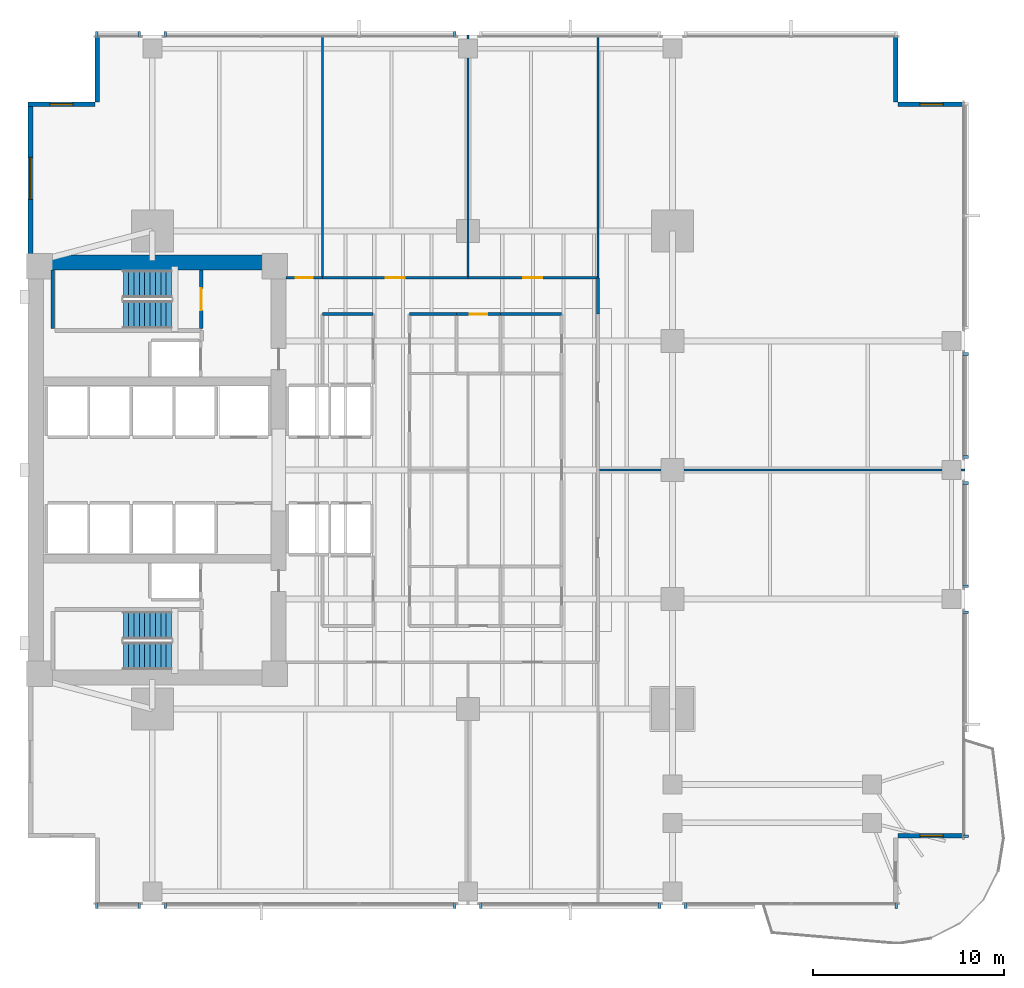
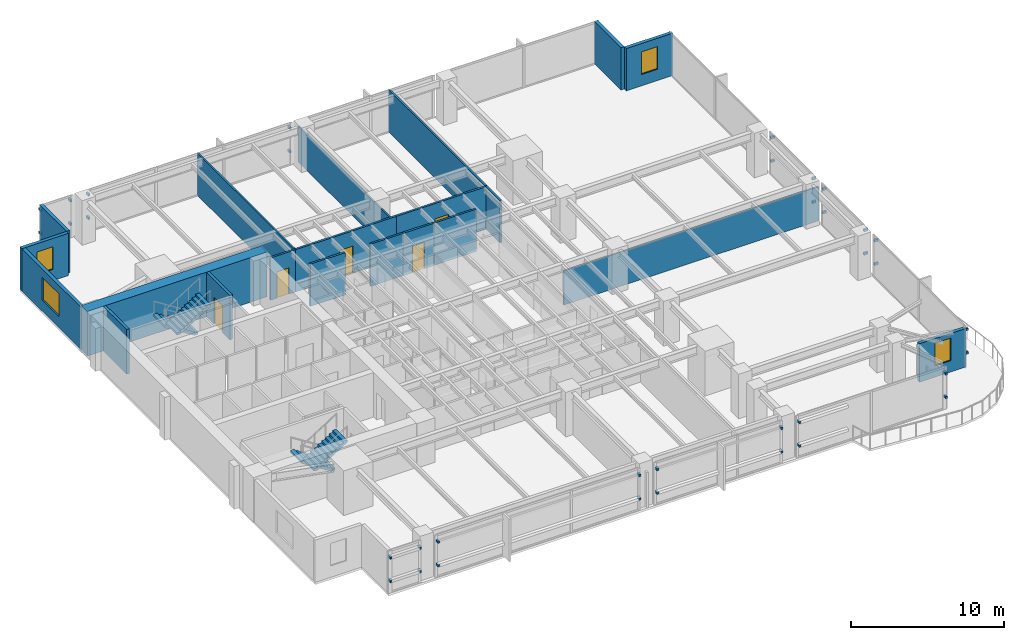
# One storey, part 10 of 15: 36 discrete accessories, 21 walls, 5 doors, 4 stair flights, 4 windows, 9 openings, 2 elements without a shape of their own.
"""IFC4 building model written with IfcOpenShell, lengths in metres."""

from ifc_helpers import new_model, si_unit, direction, frame, frame_2d, origin, origin_2d, place, context, subcontext, project, spatial, polyline, rectangle, outline, extrude, material, layer, layer_set, type_object, element, fill, aggregate, save


model = new_model("IFC4")

# Units and contexts
model_context = context("Model", 3, precision=1e-05, world=origin(), true_north=direction((0.0, 1.0)))
body_context = subcontext(model_context, "Body", "Model", "MODEL_VIEW")
ifc_project = project(units=[si_unit("LENGTHUNIT", "METRE"), si_unit("AREAUNIT", "SQUARE_METRE"), si_unit("VOLUMEUNIT", "CUBIC_METRE"), si_unit("PLANEANGLEUNIT", "RADIAN"), si_unit("MASSUNIT", "GRAM", prefix="KILO")], contexts=[model_context])

# Site, building, storey
site_placement = place(None, origin())
site = spatial("IfcSite", under=ifc_project, at=site_placement, CompositionType="ELEMENT")
building_placement = place(site_placement, origin())
building = spatial("IfcBuilding", under=site, at=building_placement, Name="Kinhvarn Gate Tower", CompositionType="ELEMENT")
storey_placement = place(building_placement, frame((0.0, 0.0, 43.35009765625)))
storey = spatial("IfcBuildingStorey", under=building, at=storey_placement, Name="L10", CompositionType="ELEMENT", Elevation=43.35009765625)

# Wall
ifc_material_1 = material(Name="Concrete C70/85", Category="concrete")
ifc_layer_1 = layer(ifc_material_1, 0.800048828125)
ifc_layer_set_1 = layer_set([ifc_layer_1], Name="Concrete C70/85")
wall_type_1 = type_object("IfcWallType", Name="WL-CORE-800", PredefinedType="SHEAR", material=ifc_layer_set_1)
wall_1_placement = place(storey_placement, frame((4.5, 36.10009765625, 0.0), z_axis=(0.0, 0.0, 1.0), x_axis=(1.0, 0.0, 0.0)))
element("IfcWall", 1, at=wall_1_placement, inside=storey, type_object=wall_type_1, Name="Core North Shear Wall L10 800 mm", PredefinedType="SHEAR", context=body_context, shape_type="SweptSolid", body=[
    extrude(rectangle(XDim=13.5, YDim=0.800048828125, at=frame_2d((6.75, 0.0))), origin(), (0.0, 0.0, 1.0), 3.5498046875),
])

# Wall, opening, window
ifc_material_2 = material(Name="Fired architectural terracotta", Category="masonry")
ifc_layer_2 = layer(ifc_material_2, 0.25)
ifc_layer_set_2 = layer_set([ifc_layer_2], Name="Fired architectural terracotta")
wall_type_2 = type_object("IfcWallType", Name="WL-EXT-250", PredefinedType="SOLIDWALL", material=ifc_layer_set_2)
wall_2_placement = place(storey_placement, frame((4.625, 44.5, 0.0), z_axis=(0.0, 0.0, 1.0), x_axis=(0.0, -1.0, 0.0)))
wall_2 = element("IfcWall", 2, at=wall_2_placement, inside=storey, type_object=wall_type_2, Name="Exterior Solidwall Wall EW-250 (L10 West-North)", PredefinedType="SOLIDWALL", context=body_context, shape_type="SweptSolid", body=[
    extrude(rectangle(XDim=8.0, YDim=0.25, at=frame_2d((4.0, 0.0))), origin(), (0.0, 0.0, 1.0), 3.369873046875),
])
opening_1_placement = place(wall_2_placement, frame((2.89990234375, 0.0, 0.89990234375)))
opening_1 = element("IfcOpeningElement", 3, at=opening_1_placement, cuts=wall_2, Name="Opening WN-01", PredefinedType="OPENING", context=body_context, shape_type="SweptSolid", body=[
    extrude(rectangle(XDim=2.199951171875, YDim=1.800048828125, at=frame_2d((1.10009765625, 0.89990234375))), frame((0.0, 0.135009765625, 0.0), z_axis=(0.0, -1.0, 0.0), x_axis=(1.0, 0.0, 0.0)), (0.0, 0.0, 1.0), 0.27001953125),
])
ifc_material_3 = material(Name="Clear low-e double glazing", Category="glass")
window_type_1 = type_object("IfcWindowType", Name="WIN-RIB-2200", PartitioningType="SINGLE_PANEL", PredefinedType="WINDOW", material=ifc_material_3)
window_1_placement = place(opening_1_placement, origin())
window_1 = element("IfcWindow", 4, at=window_1_placement, inside=storey, type_object=window_type_1, Name="West Flank Double-Glazed Ribbon Window 2200x1800 mm (L10)", OverallHeight=1.800048828125, OverallWidth=2.199951171875, PartitioningType="SINGLE_PANEL", PredefinedType="WINDOW", context=body_context, shape_type="SweptSolid", body=[
    extrude(rectangle(XDim=2.199951171875, YDim=1.800048828125, at=frame_2d((1.10009765625, 0.89990234375))), frame((0.0, 0.030029296875, 0.0), z_axis=(0.0, -1.0, 0.0), x_axis=(1.0, 0.0, 0.0)), (0.0, 0.0, 1.0), 0.06005859375),
])
fill(opening_1, window_1)

wall_3_placement = place(storey_placement, frame((50.0, 6.125, 0.0), z_axis=(0.0, 0.0, 1.0), x_axis=(1.0, 0.0, 0.0)))
wall_3 = element("IfcWall", 5, at=wall_3_placement, inside=storey, type_object=wall_type_2, Name="Exterior Solidwall Wall EW-250 (L10 SE-Notch-Win)", PredefinedType="SOLIDWALL", context=body_context, shape_type="SweptSolid", body=[
    extrude(rectangle(XDim=3.5, YDim=0.25, at=frame_2d((1.75, 0.0))), origin(), (0.0, 0.0, 1.0), 3.06982421875),
])
opening_2_placement = place(wall_3_placement, frame((1.14990234375, 0.0, 0.89990234375)))
opening_2 = element("IfcOpeningElement", 6, at=opening_2_placement, cuts=wall_3, Name="Opening WN-02", PredefinedType="OPENING", context=body_context, shape_type="SweptSolid", body=[
    extrude(rectangle(XDim=1.199951171875, YDim=1.800048828125, at=frame_2d((0.60009765625, 0.89990234375))), frame((0.0, 0.135009765625, 0.0), z_axis=(0.0, -1.0, 0.0), x_axis=(1.0, 0.0, 0.0)), (0.0, 0.0, 1.0), 0.27001953125),
])
window_type_2 = type_object("IfcWindowType", Name="WIN-NTC-1200", PartitioningType="SINGLE_PANEL", PredefinedType="WINDOW", material=ifc_material_3)
window_2_placement = place(opening_2_placement, origin())
window_2 = element("IfcWindow", 7, at=window_2_placement, inside=storey, type_object=window_type_2, Name="Recessed Corner Notch Punched Window 1200x1800 mm (L10)", OverallHeight=1.800048828125, OverallWidth=1.199951171875, PartitioningType="SINGLE_PANEL", PredefinedType="WINDOW", context=body_context, shape_type="SweptSolid", body=[
    extrude(rectangle(XDim=1.199951171875, YDim=1.800048828125, at=frame_2d((0.60009765625, 0.89990234375))), frame((0.0, 0.030029296875, 0.0), z_axis=(0.0, -1.0, 0.0), x_axis=(1.0, 0.0, 0.0)), (0.0, 0.0, 1.0), 0.06005859375),
])
fill(opening_2, window_2)

wall_4_placement = place(storey_placement, frame((53.5, 44.375, 0.0), z_axis=(0.0, 0.0, 1.0), x_axis=(-1.0, 0.0, 0.0)))
wall_4 = element("IfcWall", 8, at=wall_4_placement, inside=storey, type_object=wall_type_2, Name="Exterior Solidwall Wall EW-250 (L10 NE-Notch-1)", PredefinedType="SOLIDWALL", context=body_context, shape_type="SweptSolid", body=[
    extrude(rectangle(XDim=3.5, YDim=0.25, at=frame_2d((1.75, 0.0))), origin(), (0.0, 0.0, 1.0), 3.369873046875),
])
opening_3_placement = place(wall_4_placement, frame((1.14990234375, 0.0, 0.89990234375)))
opening_3 = element("IfcOpeningElement", 9, at=opening_3_placement, cuts=wall_4, Name="Opening WN-02", PredefinedType="OPENING", context=body_context, shape_type="SweptSolid", body=[
    extrude(rectangle(XDim=1.199951171875, YDim=1.800048828125, at=frame_2d((0.60009765625, 0.89990234375))), frame((0.0, 0.135009765625, 0.0), z_axis=(0.0, -1.0, 0.0), x_axis=(1.0, 0.0, 0.0)), (0.0, 0.0, 1.0), 0.27001953125),
])
window_3_placement = place(opening_3_placement, origin())
window_3 = element("IfcWindow", 10, at=window_3_placement, inside=storey, type_object=window_type_2, Name="Recessed Corner Notch Punched Window 1200x1800 mm (L10)", OverallHeight=1.800048828125, OverallWidth=1.199951171875, PartitioningType="SINGLE_PANEL", PredefinedType="WINDOW", context=body_context, shape_type="SweptSolid", body=[
    extrude(rectangle(XDim=1.199951171875, YDim=1.800048828125, at=frame_2d((0.60009765625, 0.89990234375))), frame((0.0, 0.030029296875, 0.0), z_axis=(0.0, -1.0, 0.0), x_axis=(1.0, 0.0, 0.0)), (0.0, 0.0, 1.0), 0.06005859375),
])
fill(opening_3, window_3)

# Walls
for number, where, z_axis, x_axis, name in (
    (11, (49.875, 44.5, 0.0), (0.0, 0.0, 1.0), (0.0, 1.0, 0.0), "Exterior Solidwall Wall EW-250 (L10 NE-Notch-2)"),
    (12, (8.125, 48.0, 0.0), (0.0, 0.0, 1.0), (0.0, -1.0, 0.0), "Exterior Solidwall Wall EW-250 (L10 NW-Notch-1)"),
):
    element("IfcWall", number, at=place(storey_placement, frame(where, z_axis=z_axis, x_axis=x_axis)), inside=storey, type_object=wall_type_2, Name=name, PredefinedType="SOLIDWALL", context=body_context, shape_type="SweptSolid", body=[
        extrude(rectangle(XDim=3.5, YDim=0.25, at=frame_2d((1.75, 0.0))), origin(), (0.0, 0.0, 1.0), 3.369873046875),
    ])

# Wall, opening, window
wall_5_placement = place(storey_placement, frame((8.0, 44.375, 0.0), z_axis=(0.0, 0.0, 1.0), x_axis=(-1.0, 0.0, 0.0)))
wall_5 = element("IfcWall", 13, at=wall_5_placement, inside=storey, type_object=wall_type_2, Name="Exterior Solidwall Wall EW-250 (L10 NW-Notch-2)", PredefinedType="SOLIDWALL", context=body_context, shape_type="SweptSolid", body=[
    extrude(rectangle(XDim=3.5, YDim=0.25, at=frame_2d((1.75, 0.0))), origin(), (0.0, 0.0, 1.0), 3.369873046875),
])
opening_4_placement = place(wall_5_placement, frame((1.14990234375, 0.0, 0.89990234375)))
opening_4 = element("IfcOpeningElement", 14, at=opening_4_placement, cuts=wall_5, Name="Opening WN-02", PredefinedType="OPENING", context=body_context, shape_type="SweptSolid", body=[
    extrude(rectangle(XDim=1.199951171875, YDim=1.800048828125, at=frame_2d((0.60009765625, 0.89990234375))), frame((0.0, 0.135009765625, 0.0), z_axis=(0.0, -1.0, 0.0), x_axis=(1.0, 0.0, 0.0)), (0.0, 0.0, 1.0), 0.27001953125),
])
window_4_placement = place(opening_4_placement, origin())
window_4 = element("IfcWindow", 15, at=window_4_placement, inside=storey, type_object=window_type_2, Name="Recessed Corner Notch Punched Window 1200x1800 mm (L10)", OverallHeight=1.800048828125, OverallWidth=1.199951171875, PartitioningType="SINGLE_PANEL", PredefinedType="WINDOW", context=body_context, shape_type="SweptSolid", body=[
    extrude(rectangle(XDim=1.199951171875, YDim=1.800048828125, at=frame_2d((0.60009765625, 0.89990234375))), frame((0.0, 0.030029296875, 0.0), z_axis=(0.0, -1.0, 0.0), x_axis=(1.0, 0.0, 0.0)), (0.0, 0.0, 1.0), 0.06005859375),
])
fill(opening_4, window_4)

# Wall
ifc_material_4 = material(Name="Gypsum acoustic partition board")
ifc_layer_3 = layer(ifc_material_4, 0.14990234375)
ifc_layer_set_3 = layer_set([ifc_layer_3], Name="Gypsum acoustic partition board")
wall_type_3 = type_object("IfcWallType", Name="WL-PLM-150F", PredefinedType="PLUMBINGWALL", material=ifc_layer_set_3)
wall_6_placement = place(storey_placement, frame((29.199951171875, 33.39990234375, 0.0), z_axis=(0.0, 0.0, 1.0), x_axis=(1.0, 0.0, 0.0)))
element("IfcWall", 16, at=wall_6_placement, inside=storey, type_object=wall_type_3, Name="Interior Partition PLW-150F (L10)", PredefinedType="PLUMBINGWALL", context=body_context, shape_type="SweptSolid", body=[
    extrude(rectangle(XDim=3.199951171875, YDim=0.14990234375, at=frame_2d((1.60009765625, 0.0))), origin(), (0.0, 0.0, 1.0), 3.369873046875),
])

# Wall, opening, door
wall_7_placement = place(storey_placement, frame((26.89990234375, 33.39990234375, 0.0), z_axis=(0.0, 0.0, 1.0), x_axis=(1.0, 0.0, 0.0)))
wall_7 = element("IfcWall", 17, at=wall_7_placement, inside=storey, type_object=wall_type_3, Name="Interior Partition PLW-150F (L10)", PredefinedType="PLUMBINGWALL", context=body_context, shape_type="SweptSolid", body=[
    extrude(rectangle(XDim=2.300048828125, YDim=0.14990234375, at=frame_2d((1.14990234375, 0.0))), origin(), (0.0, 0.0, 1.0), 3.369873046875),
])
opening_5_placement = place(wall_7_placement, frame((0.699951171875, 0.0, 0.0)))
opening_5 = element("IfcOpeningElement", 18, at=opening_5_placement, cuts=wall_7, Name="Opening FD-04", PredefinedType="OPENING", context=body_context, shape_type="SweptSolid", body=[
    extrude(rectangle(XDim=0.89990234375, YDim=2.10009765625, at=frame_2d((0.449951171875, 1.050048828125))), frame((0.0, 0.0849609375, 0.0), z_axis=(0.0, -1.0, 0.0), x_axis=(1.0, 0.0, 0.0)), (0.0, 0.0, 1.0), 0.169921875),
])
ifc_material_5 = material(Name="Anodised aluminium AW-6063", Category="aluminium")
door_type_1 = type_object("IfcDoorType", Name="DR-FD-900", OperationType="NOTDEFINED", PredefinedType="DOOR", material=ifc_material_5)
door_1_placement = place(opening_5_placement, origin())
door_1 = element("IfcDoor", 19, at=door_1_placement, inside=storey, type_object=door_type_1, Name="Rated Riser & Service Closet Fire Door 900x2100 mm (L10)", OperationType="SINGLE_SWING_LEFT", OverallHeight=2.10009765625, OverallWidth=0.89990234375, PredefinedType="DOOR", context=body_context, shape_type="SweptSolid", body=[
    extrude(rectangle(XDim=0.89990234375, YDim=2.10009765625, at=frame_2d((0.449951171875, 1.050048828125))), frame((0.0, 0.02490234375, 0.0), z_axis=(0.0, -1.0, 0.0), x_axis=(1.0, 0.0, 0.0)), (0.0, 0.0, 1.0), 0.050048828125),
])
fill(opening_5, door_1)

# Walls
ifc_layer_4 = layer(ifc_material_4, 0.1201171875)
ifc_layer_set_4 = layer_set([ifc_layer_4], Name="Gypsum acoustic partition board")
wall_type_4 = type_object("IfcWallType", Name="WL-PRT-120", PredefinedType="PARTITIONING", material=ifc_layer_set_4)
wall_8_placement = place(storey_placement, frame((19.89990234375, 35.300048828125, 0.0), z_axis=(0.0, 0.0, 1.0), x_axis=(0.0, 1.0, 0.0)))
element("IfcWall", 20, at=wall_8_placement, inside=storey, type_object=wall_type_4, Name="Interior Partition PW-120 (L10)", PredefinedType="PARTITIONING", context=body_context, shape_type="SweptSolid", body=[
    extrude(rectangle(XDim=12.68994140625, YDim=0.1201171875, at=frame_2d((6.344970703125, 0.0))), origin(), (0.0, 0.0, 1.0), 3.369873046875),
])
wall_9_placement = place(storey_placement, frame((27.5, 35.300048828125, 0.0), z_axis=(0.0, 0.0, 1.0), x_axis=(0.0, 1.0, 0.0)))
element("IfcWall", 21, at=wall_9_placement, inside=storey, type_object=wall_type_4, Name="Interior Partition PW-120 (L10)", PredefinedType="PARTITIONING", context=body_context, shape_type="SweptSolid", body=[
    extrude(rectangle(XDim=12.68994140625, YDim=0.1201171875, at=frame_2d((6.344970703125, 0.0))), origin(), (0.0, 0.0, 1.0), 2.81982421875),
])
wall_10_placement = place(storey_placement, frame((34.300048828125, 35.300048828125, 0.0), z_axis=(0.0, 0.0, 1.0), x_axis=(0.0, 1.0, 0.0)))
element("IfcWall", 22, at=wall_10_placement, inside=storey, type_object=wall_type_4, Name="Interior Partition PW-120 (L10)", PredefinedType="PARTITIONING", context=body_context, shape_type="SweptSolid", body=[
    extrude(rectangle(XDim=12.68994140625, YDim=0.1201171875, at=frame_2d((6.344970703125, 0.0))), origin(), (0.0, 0.0, 1.0), 3.369873046875),
])
wall_11_placement = place(storey_placement, frame((34.300048828125, 25.25, 0.0), z_axis=(0.0, 0.0, 1.0), x_axis=(1.0, 0.0, 0.0)))
element("IfcWall", 23, at=wall_11_placement, inside=storey, type_object=wall_type_4, Name="Interior Partition PW-120 (L10)", PredefinedType="PARTITIONING", context=body_context, shape_type="SweptSolid", body=[
    extrude(rectangle(XDim=19.18994140625, YDim=0.1201171875, at=frame_2d((9.594970703125, 0.0))), origin(), (0.0, 0.0, 1.0), 2.719970703125),
])
ifc_layer_5 = layer(ifc_material_4, 0.14990234375)
ifc_layer_set_5 = layer_set([ifc_layer_5], Name="Gypsum acoustic partition board")
wall_type_5 = type_object("IfcWallType", Name="WL-PRT-150F", PredefinedType="PARTITIONING", material=ifc_layer_set_5)
wall_12_placement = place(storey_placement, frame((19.89990234375, 33.39990234375, 0.0), z_axis=(0.0, 0.0, 1.0), x_axis=(1.0, 0.0, 0.0)))
element("IfcWall", 24, at=wall_12_placement, inside=storey, type_object=wall_type_5, Name="Interior Partition PW-150F (L10)", PredefinedType="PARTITIONING", context=body_context, shape_type="SweptSolid", body=[
    extrude(rectangle(XDim=2.650146484375, YDim=0.14990234375, at=frame_2d((1.3251953125, 0.0))), origin(), (0.0, 0.0, 1.0), 3.369873046875),
])
wall_13_placement = place(storey_placement, frame((24.449951171875, 33.39990234375, 0.0), z_axis=(0.0, 0.0, 1.0), x_axis=(1.0, 0.0, 0.0)))
element("IfcWall", 25, at=wall_13_placement, inside=storey, type_object=wall_type_5, Name="Interior Partition PW-150F (L10)", PredefinedType="PARTITIONING", context=body_context, shape_type="SweptSolid", body=[
    extrude(rectangle(XDim=2.449951171875, YDim=0.14990234375, at=frame_2d((1.22509765625, 0.0))), origin(), (0.0, 0.0, 1.0), 3.369873046875),
])

# Wall, opening, door
wall_14_placement = place(storey_placement, frame((18.0, 35.300048828125, 0.0), z_axis=(0.0, 0.0, 1.0), x_axis=(1.0, 0.0, 0.0)))
wall_14 = element("IfcWall", 26, at=wall_14_placement, inside=storey, type_object=wall_type_5, Name="Interior Partition PW-150F (L10)", PredefinedType="PARTITIONING", context=body_context, shape_type="SweptSolid", body=[
    extrude(rectangle(XDim=1.89990234375, YDim=0.14990234375, at=frame_2d((0.949951171875, 0.0))), origin(), (0.0, 0.0, 1.0), 3.369873046875),
])
opening_6_placement = place(wall_14_placement, frame((0.5, 0.0, 0.0)))
opening_6 = element("IfcOpeningElement", 27, at=opening_6_placement, cuts=wall_14, Name="Opening ID-03", PredefinedType="OPENING", context=body_context, shape_type="SweptSolid", body=[
    extrude(rectangle(XDim=0.89990234375, YDim=2.10009765625, at=frame_2d((0.449951171875, 1.050048828125))), frame((0.0, 0.0849609375, 0.0), z_axis=(0.0, -1.0, 0.0), x_axis=(1.0, 0.0, 0.0)), (0.0, 0.0, 1.0), 0.169921875),
])
door_type_2 = type_object("IfcDoorType", Name="DR-INT-900", OperationType="NOTDEFINED", PredefinedType="DOOR", material=ifc_material_5)
door_2_placement = place(opening_6_placement, origin())
door_2 = element("IfcDoor", 28, at=door_2_placement, inside=storey, type_object=door_type_2, Name="Cellular Office & Restroom Door 900x2100 mm (L10)", OperationType="SINGLE_SWING_RIGHT", OverallHeight=2.10009765625, OverallWidth=0.89990234375, PredefinedType="DOOR", context=body_context, shape_type="SweptSolid", body=[
    extrude(rectangle(XDim=0.89990234375, YDim=2.10009765625, at=frame_2d((0.449951171875, 1.050048828125))), frame((0.0, 0.02490234375, 0.0), z_axis=(0.0, -1.0, 0.0), x_axis=(1.0, 0.0, 0.0)), (0.0, 0.0, 1.0), 0.050048828125),
])
fill(opening_6, door_2)

wall_15_placement = place(storey_placement, frame((19.89990234375, 35.300048828125, 0.0), z_axis=(0.0, 0.0, 1.0), x_axis=(1.0, 0.0, 0.0)))
wall_15 = element("IfcWall", 29, at=wall_15_placement, inside=storey, type_object=wall_type_5, Name="Interior Partition PW-150F (L10)", PredefinedType="PARTITIONING", context=body_context, shape_type="SweptSolid", body=[
    extrude(rectangle(XDim=7.60009765625, YDim=0.14990234375, at=frame_2d((3.800048828125, 0.0))), origin(), (0.0, 0.0, 1.0), 3.369873046875),
])
opening_7_placement = place(wall_15_placement, frame((3.300048828125, 0.0, 0.0)))
opening_7 = element("IfcOpeningElement", 30, at=opening_7_placement, cuts=wall_15, Name="Opening ID-02", PredefinedType="OPENING", context=body_context, shape_type="SweptSolid", body=[
    extrude(rectangle(XDim=1.0, YDim=2.14990234375, at=frame_2d((0.5, 1.074951171875))), frame((0.0, 0.0849609375, 0.0), z_axis=(0.0, -1.0, 0.0), x_axis=(1.0, 0.0, 0.0)), (0.0, 0.0, 1.0), 0.169921875),
])
door_type_3 = type_object("IfcDoorType", Name="DR-INT-1000", OperationType="NOTDEFINED", PredefinedType="DOOR", material=ifc_material_5)
door_3_placement = place(opening_7_placement, origin())
door_3 = element("IfcDoor", 31, at=door_3_placement, inside=storey, type_object=door_type_3, Name="Standard Office & Meeting Room Door 1000x2150 mm (L10)", OperationType="SINGLE_SWING_LEFT", OverallHeight=2.14990234375, OverallWidth=1.0, PredefinedType="DOOR", context=body_context, shape_type="SweptSolid", body=[
    extrude(rectangle(XDim=1.0, YDim=2.14990234375, at=frame_2d((0.5, 1.074951171875))), frame((0.0, 0.02490234375, 0.0), z_axis=(0.0, -1.0, 0.0), x_axis=(1.0, 0.0, 0.0)), (0.0, 0.0, 1.0), 0.050048828125),
])
fill(opening_7, door_3)

wall_16_placement = place(storey_placement, frame((27.5, 35.300048828125, 0.0), z_axis=(0.0, 0.0, 1.0), x_axis=(1.0, 0.0, 0.0)))
wall_16 = element("IfcWall", 32, at=wall_16_placement, inside=storey, type_object=wall_type_5, Name="Interior Partition PW-150F (L10)", PredefinedType="PARTITIONING", context=body_context, shape_type="SweptSolid", body=[
    extrude(rectangle(XDim=6.800048828125, YDim=0.14990234375, at=frame_2d((3.39990234375, 0.0))), origin(), (0.0, 0.0, 1.0), 3.369873046875),
])
opening_8_placement = place(wall_16_placement, frame((2.89990234375, 0.0, 0.0)))
opening_8 = element("IfcOpeningElement", 33, at=opening_8_placement, cuts=wall_16, Name="Opening ID-02", PredefinedType="OPENING", context=body_context, shape_type="SweptSolid", body=[
    extrude(rectangle(XDim=1.0, YDim=2.14990234375, at=frame_2d((0.5, 1.074951171875))), frame((0.0, 0.0849609375, 0.0), z_axis=(0.0, -1.0, 0.0), x_axis=(1.0, 0.0, 0.0)), (0.0, 0.0, 1.0), 0.169921875),
])
door_4_placement = place(opening_8_placement, origin())
door_4 = element("IfcDoor", 34, at=door_4_placement, inside=storey, type_object=door_type_3, Name="Standard Office & Meeting Room Door 1000x2150 mm (L10)", OperationType="SINGLE_SWING_RIGHT", OverallHeight=2.14990234375, OverallWidth=1.0, PredefinedType="DOOR", context=body_context, shape_type="SweptSolid", body=[
    extrude(rectangle(XDim=1.0, YDim=2.14990234375, at=frame_2d((0.5, 1.074951171875))), frame((0.0, 0.02490234375, 0.0), z_axis=(0.0, -1.0, 0.0), x_axis=(1.0, 0.0, 0.0)), (0.0, 0.0, 1.0), 0.050048828125),
])
fill(opening_8, door_4)

# Walls
wall_17_placement = place(storey_placement, frame((34.300048828125, 33.39990234375, 0.0), z_axis=(0.0, 0.0, 1.0), x_axis=(0.0, 1.0, 0.0)))
element("IfcWall", 35, at=wall_17_placement, inside=storey, type_object=wall_type_5, Name="Interior Partition PW-150F (L10)", PredefinedType="PARTITIONING", context=body_context, shape_type="SweptSolid", body=[
    extrude(rectangle(XDim=1.900146484375, YDim=0.14990234375, at=frame_2d((0.9501953125, 0.0))), origin(), (0.0, 0.0, 1.0), 3.369873046875),
])
ifc_material_6 = material(Name="Concrete C40/50", Category="concrete")
ifc_layer_6 = layer(ifc_material_6, 0.199951171875)
ifc_layer_set_6 = layer_set([ifc_layer_6], Name="Concrete C40/50")
wall_type_6 = type_object("IfcWallType", Name="WL-SHF-200", PredefinedType="SOLIDWALL", material=ifc_layer_set_6)
wall_18_placement = place(storey_placement, frame((5.7900390625, 32.64990234375, 0.0), z_axis=(0.0, 0.0, 1.0), x_axis=(0.0, 1.0, 0.0)))
element("IfcWall", 36, at=wall_18_placement, inside=storey, type_object=wall_type_6, Name="Stair ST2 West Shaft Wall (L10)", PredefinedType="SOLIDWALL", context=body_context, shape_type="SweptSolid", body=[
    extrude(rectangle(XDim=3.050048828125, YDim=0.199951171875, at=frame_2d((1.52490234375, 0.0))), origin(), (0.0, 0.0, 1.0), 3.5498046875),
])

# Wall, opening, door
wall_19_placement = place(storey_placement, frame((13.56005859375, 32.64990234375, 0.0), z_axis=(0.0, 0.0, 1.0), x_axis=(0.0, 1.0, 0.0)))
wall_19 = element("IfcWall", 37, at=wall_19_placement, inside=storey, type_object=wall_type_6, Name="Stair ST2 East Entry Wall (L10)", PredefinedType="SOLIDWALL", context=body_context, shape_type="SweptSolid", body=[
    extrude(rectangle(XDim=3.050048828125, YDim=0.199951171875, at=frame_2d((1.52490234375, 0.0))), origin(), (0.0, 0.0, 1.0), 3.5498046875),
])
opening_9_placement = place(wall_19_placement, frame((0.949951171875, 0.0, 0.0)))
opening_9 = element("IfcOpeningElement", 38, at=opening_9_placement, cuts=wall_19, Name="Opening FD-01", PredefinedType="OPENING", context=body_context, shape_type="SweptSolid", body=[
    extrude(rectangle(XDim=1.14990234375, YDim=2.14990234375, at=frame_2d((0.574951171875, 1.074951171875))), frame((0.0, 0.10986328125, 0.0), z_axis=(0.0, -1.0, 0.0), x_axis=(1.0, 0.0, 0.0)), (0.0, 0.0, 1.0), 0.219970703125),
])
door_type_4 = type_object("IfcDoorType", Name="DR-ST-1150", OperationType="NOTDEFINED", PredefinedType="DOOR", material=ifc_material_5)
door_5_placement = place(opening_9_placement, origin())
door_5 = element("IfcDoor", 39, at=door_5_placement, inside=storey, type_object=door_type_4, Name="Exit Stair ST2 Fire Door (L10)", OperationType="SINGLE_SWING_LEFT", OverallHeight=2.14990234375, OverallWidth=1.14990234375, PredefinedType="DOOR", context=body_context, shape_type="SweptSolid", body=[
    extrude(rectangle(XDim=1.14990234375, YDim=2.14990234375, at=frame_2d((0.574951171875, 1.074951171875))), frame((0.0, 0.02490234375, 0.0), z_axis=(0.0, -1.0, 0.0), x_axis=(1.0, 0.0, 0.0)), (0.0, 0.0, 1.0), 0.050048828125),
])
fill(opening_9, door_5)

# Stair, stair flights
stair_type = type_object("IfcStairType", Name="STR-DLG-177", PredefinedType="HALF_TURN_STAIR", material=ifc_material_6)
stair_1_placement = place(storey_placement, origin())
stair_1 = element("IfcStair", 40, at=stair_1_placement, inside=storey, type_object=stair_type, Name="L10 Core Smokeproof Exit Stair ST1", PredefinedType="HALF_TURN_STAIR")
stair_flight_type = type_object("IfcStairFlightType", Name="STF-DLG-177", PredefinedType="STRAIGHT", material=ifc_material_6)
stair_flight_1_placement = place(storey_placement, frame((12.0, 17.125, 0.0), z_axis=(0.0, 0.0, 1.0), x_axis=(-1.0, 0.0, 0.0)))
stair_flight_1 = element("IfcStairFlight", 41, at=stair_flight_1_placement, type_object=stair_flight_type, Name="ST1 flight 1", NumberOfRisers=10, NumberOfTreads=9, PredefinedType="STRAIGHT", RiserHeight=0.1775, TreadLength=0.28, context=body_context, shape_type="SweptSolid", body=[
    extrude(outline(polyline([(0.0, 0.0), (0.0, 0.177490234375), (0.280029296875, 0.177490234375), (0.280029296875, 0.35498046875), (0.56005859375, 0.35498046875), (0.56005859375, 0.532470703125), (0.840087890625, 0.532470703125), (0.840087890625, 0.7099609375), (1.1201171875, 0.7099609375), (1.1201171875, 0.887451171875), (1.39990234375, 0.887451171875), (1.39990234375, 1.06494140625), (1.679931640625, 1.06494140625), (1.679931640625, 1.242431640625), (1.9599609375, 1.242431640625), (1.9599609375, 1.419921875), (2.239990234375, 1.419921875), (2.239990234375, 1.597412109375), (2.52001953125, 1.597412109375), (2.52001953125, 1.77490234375), (2.52001953125, 1.419921875), (0.280029296875, 0.0), (0.0, 0.0)])), frame((0.0, 0.72509765625, 0.0), z_axis=(0.0, -1.0, 0.0), x_axis=(1.0, 0.0, 0.0)), (0.0, 0.0, 1.0), 1.449951171875),
])
stair_flight_2_placement = place(storey_placement, frame((9.47998046875, 15.52490234375, 1.77490234375), z_axis=(0.0, 0.0, 1.0), x_axis=(1.0, 0.0, 0.0)))
stair_flight_2 = element("IfcStairFlight", 42, at=stair_flight_2_placement, type_object=stair_flight_type, Name="ST1 flight 2", NumberOfRisers=10, NumberOfTreads=9, PredefinedType="STRAIGHT", RiserHeight=0.1775, TreadLength=0.28, context=body_context, shape_type="SweptSolid", body=[
    extrude(outline(polyline([(0.0, 0.0), (0.0, 0.177490234375), (0.280029296875, 0.177490234375), (0.280029296875, 0.35498046875), (0.56005859375, 0.35498046875), (0.56005859375, 0.532470703125), (0.840087890625, 0.532470703125), (0.840087890625, 0.7099609375), (1.1201171875, 0.7099609375), (1.1201171875, 0.887451171875), (1.39990234375, 0.887451171875), (1.39990234375, 1.06494140625), (1.679931640625, 1.06494140625), (1.679931640625, 1.242431640625), (1.9599609375, 1.242431640625), (1.9599609375, 1.419921875), (2.239990234375, 1.419921875), (2.239990234375, 1.597412109375), (2.52001953125, 1.597412109375), (2.52001953125, 1.77490234375), (2.52001953125, 1.419921875), (0.280029296875, 0.0), (0.0, 0.0)])), frame((0.0, 0.72509765625, 0.0), z_axis=(0.0, -1.0, 0.0), x_axis=(1.0, 0.0, 0.0)), (0.0, 0.0, 1.0), 1.449951171875),
])
aggregate(stair_1, [stair_flight_1, stair_flight_2])

stair_2_placement = place(storey_placement, origin())
stair_2 = element("IfcStair", 43, at=stair_2_placement, inside=storey, type_object=stair_type, Name="L10 Core Smokeproof Exit Stair ST2", PredefinedType="HALF_TURN_STAIR")
stair_flight_3_placement = place(storey_placement, frame((12.0, 34.97509765625, 0.0), z_axis=(0.0, 0.0, 1.0), x_axis=(-1.0, 0.0, 0.0)))
stair_flight_3 = element("IfcStairFlight", 44, at=stair_flight_3_placement, type_object=stair_flight_type, Name="ST2 flight 1", NumberOfRisers=10, NumberOfTreads=9, PredefinedType="STRAIGHT", RiserHeight=0.1775, TreadLength=0.28, context=body_context, shape_type="SweptSolid", body=[
    extrude(outline(polyline([(0.0, 0.0), (0.0, 0.177490234375), (0.280029296875, 0.177490234375), (0.280029296875, 0.35498046875), (0.56005859375, 0.35498046875), (0.56005859375, 0.532470703125), (0.840087890625, 0.532470703125), (0.840087890625, 0.7099609375), (1.1201171875, 0.7099609375), (1.1201171875, 0.887451171875), (1.39990234375, 0.887451171875), (1.39990234375, 1.06494140625), (1.679931640625, 1.06494140625), (1.679931640625, 1.242431640625), (1.9599609375, 1.242431640625), (1.9599609375, 1.419921875), (2.239990234375, 1.419921875), (2.239990234375, 1.597412109375), (2.52001953125, 1.597412109375), (2.52001953125, 1.77490234375), (2.52001953125, 1.419921875), (0.280029296875, 0.0), (0.0, 0.0)])), frame((0.0, 0.72509765625, 0.0), z_axis=(0.0, -1.0, 0.0), x_axis=(1.0, 0.0, 0.0)), (0.0, 0.0, 1.0), 1.449951171875),
])
stair_flight_4_placement = place(storey_placement, frame((9.47998046875, 33.375, 1.77490234375), z_axis=(0.0, 0.0, 1.0), x_axis=(1.0, 0.0, 0.0)))
stair_flight_4 = element("IfcStairFlight", 45, at=stair_flight_4_placement, type_object=stair_flight_type, Name="ST2 flight 2", NumberOfRisers=10, NumberOfTreads=9, PredefinedType="STRAIGHT", RiserHeight=0.1775, TreadLength=0.28, context=body_context, shape_type="SweptSolid", body=[
    extrude(outline(polyline([(0.0, 0.0), (0.0, 0.177490234375), (0.280029296875, 0.177490234375), (0.280029296875, 0.35498046875), (0.56005859375, 0.35498046875), (0.56005859375, 0.532470703125), (0.840087890625, 0.532470703125), (0.840087890625, 0.7099609375), (1.1201171875, 0.7099609375), (1.1201171875, 0.887451171875), (1.39990234375, 0.887451171875), (1.39990234375, 1.06494140625), (1.679931640625, 1.06494140625), (1.679931640625, 1.242431640625), (1.9599609375, 1.242431640625), (1.9599609375, 1.419921875), (2.239990234375, 1.419921875), (2.239990234375, 1.597412109375), (2.52001953125, 1.597412109375), (2.52001953125, 1.77490234375), (2.52001953125, 1.419921875), (0.280029296875, 0.0), (0.0, 0.0)])), frame((0.0, 0.72509765625, 0.0), z_axis=(0.0, -1.0, 0.0), x_axis=(1.0, 0.0, 0.0)), (0.0, 0.0, 1.0), 1.449951171875),
])
aggregate(stair_2, [stair_flight_3, stair_flight_4])

# Discrete accessories
discrete_accessory_type = type_object("IfcDiscreteAccessoryType", Name="ACC-BRK-01", PredefinedType="BRACKET", material=ifc_material_5)
for number, where, z_axis, x_axis, name in (
    (46, (8.10009765625, 2.4599609375, 0.9599609375), (0.0, 0.0, 1.0), (1.0, 0.0, 0.0), "Baguette Support Bracket BK-01 (L10)"),
    (47, (8.10009765625, 2.4599609375, 2.830078125), (0.0, 0.0, 1.0), (1.0, 0.0, 0.0), "Baguette Support Bracket BK-01 (L10)"),
    (48, (10.320068359375, 2.4599609375, 0.9599609375), (0.0, 0.0, 1.0), (1.0, 0.0, 0.0), "Baguette Support Bracket BK-01 (L10)"),
    (49, (10.320068359375, 2.4599609375, 2.830078125), (0.0, 0.0, 1.0), (1.0, 0.0, 0.0), "Baguette Support Bracket BK-01 (L10)"),
    (50, (11.679931640625, 2.4599609375, 0.9599609375), (0.0, 0.0, 1.0), (1.0, 0.0, 0.0), "Baguette Support Bracket BK-01 (L10)"),
    (51, (11.679931640625, 2.4599609375, 2.830078125), (0.0, 0.0, 1.0), (1.0, 0.0, 0.0), "Baguette Support Bracket BK-01 (L10)"),
    (52, (26.820068359375, 2.4599609375, 0.9599609375), (0.0, 0.0, 1.0), (1.0, 0.0, 0.0), "Baguette Support Bracket BK-01 (L10)"),
    (53, (26.820068359375, 2.4599609375, 2.830078125), (0.0, 0.0, 1.0), (1.0, 0.0, 0.0), "Baguette Support Bracket BK-01 (L10)"),
    (54, (28.179931640625, 2.4599609375, 0.9599609375), (0.0, 0.0, 1.0), (1.0, 0.0, 0.0), "Baguette Support Bracket BK-01 (L10)"),
    (55, (28.179931640625, 2.4599609375, 2.830078125), (0.0, 0.0, 1.0), (1.0, 0.0, 0.0), "Baguette Support Bracket BK-01 (L10)"),
    (56, (37.52001953125, 2.4599609375, 0.9599609375), (0.0, 0.0, 1.0), (1.0, 0.0, 0.0), "Baguette Support Bracket BK-01 (L10)"),
    (57, (37.52001953125, 2.4599609375, 2.830078125), (0.0, 0.0, 1.0), (1.0, 0.0, 0.0), "Baguette Support Bracket BK-01 (L10)"),
    (58, (38.8798828125, 2.4599609375, 0.9599609375), (0.0, 0.0, 1.0), (1.0, 0.0, 0.0), "Baguette Support Bracket BK-01 (L10)"),
    (59, (38.8798828125, 2.4599609375, 2.830078125), (0.0, 0.0, 1.0), (1.0, 0.0, 0.0), "Baguette Support Bracket BK-01 (L10)"),
    (60, (49.89990234375, 2.4599609375, 0.9599609375), (0.0, 0.0, 1.0), (1.0, 0.0, 0.0), "Baguette Support Bracket BK-01 (L10)"),
    (61, (49.89990234375, 2.4599609375, 2.830078125), (0.0, 0.0, 1.0), (1.0, 0.0, 0.0), "Baguette Support Bracket BK-01 (L10)"),
    (62, (26.820068359375, 48.0400390625, 0.9599609375), (0.0, 0.0, 1.0), (-1.0, 0.0, 0.0), "Baguette Support Bracket BK-01 (L10)"),
    (63, (26.820068359375, 48.0400390625, 2.830078125), (0.0, 0.0, 1.0), (-1.0, 0.0, 0.0), "Baguette Support Bracket BK-01 (L10)"),
    (64, (11.679931640625, 48.0400390625, 0.9599609375), (0.0, 0.0, 1.0), (-1.0, 0.0, 0.0), "Baguette Support Bracket BK-01 (L10)"),
    (65, (11.679931640625, 48.0400390625, 2.830078125), (0.0, 0.0, 1.0), (-1.0, 0.0, 0.0), "Baguette Support Bracket BK-01 (L10)"),
    (66, (10.320068359375, 48.0400390625, 0.9599609375), (0.0, 0.0, 1.0), (-1.0, 0.0, 0.0), "Baguette Support Bracket BK-01 (L10)"),
    (67, (10.320068359375, 48.0400390625, 2.830078125), (0.0, 0.0, 1.0), (-1.0, 0.0, 0.0), "Baguette Support Bracket BK-01 (L10)"),
    (68, (8.10009765625, 48.0400390625, 0.9599609375), (0.0, 0.0, 1.0), (-1.0, 0.0, 0.0), "Baguette Support Bracket BK-01 (L10)"),
    (69, (8.10009765625, 48.0400390625, 2.830078125), (0.0, 0.0, 1.0), (-1.0, 0.0, 0.0), "Baguette Support Bracket BK-01 (L10)"),
    (70, (53.5400390625, 6.10009765625, 0.9599609375), (0.0, 0.0, 1.0), (0.0, 1.0, 0.0), "Baguette Support Bracket BK-01 (L10)"),
    (71, (53.5400390625, 6.10009765625, 2.830078125), (0.0, 0.0, 1.0), (0.0, 1.0, 0.0), "Baguette Support Bracket BK-01 (L10)"),
    (72, (53.5400390625, 17.820068359375, 0.9599609375), (0.0, 0.0, 1.0), (0.0, 1.0, 0.0), "Baguette Support Bracket BK-01 (L10)"),
    (73, (53.5400390625, 17.820068359375, 2.830078125), (0.0, 0.0, 1.0), (0.0, 1.0, 0.0), "Baguette Support Bracket BK-01 (L10)"),
    (74, (53.5400390625, 19.179931640625, 0.9599609375), (0.0, 0.0, 1.0), (0.0, 1.0, 0.0), "Baguette Support Bracket BK-01 (L10)"),
    (75, (53.5400390625, 19.179931640625, 2.830078125), (0.0, 0.0, 1.0), (0.0, 1.0, 0.0), "Baguette Support Bracket BK-01 (L10)"),
    (76, (53.5400390625, 24.570068359375, 0.9599609375), (0.0, 0.0, 1.0), (0.0, 1.0, 0.0), "Baguette Support Bracket BK-01 (L10)"),
    (77, (53.5400390625, 24.570068359375, 2.830078125), (0.0, 0.0, 1.0), (0.0, 1.0, 0.0), "Baguette Support Bracket BK-01 (L10)"),
    (78, (53.5400390625, 25.929931640625, 0.9599609375), (0.0, 0.0, 1.0), (0.0, 1.0, 0.0), "Baguette Support Bracket BK-01 (L10)"),
    (79, (53.5400390625, 25.929931640625, 2.830078125), (0.0, 0.0, 1.0), (0.0, 1.0, 0.0), "Baguette Support Bracket BK-01 (L10)"),
    (80, (53.5400390625, 31.320068359375, 0.9599609375), (0.0, 0.0, 1.0), (0.0, 1.0, 0.0), "Baguette Support Bracket BK-01 (L10)"),
    (81, (53.5400390625, 31.320068359375, 2.830078125), (0.0, 0.0, 1.0), (0.0, 1.0, 0.0), "Baguette Support Bracket BK-01 (L10)"),
):
    element("IfcDiscreteAccessory", number, at=place(storey_placement, frame(where, z_axis=z_axis, x_axis=x_axis)), inside=storey, type_object=discrete_accessory_type, Name=name, PredefinedType="BRACKET", context=body_context, shape_type="SweptSolid", body=[
        extrude(rectangle(XDim=0.139892578125, YDim=0.280029296875, at=origin_2d()), origin(), (0.0, 0.0, 1.0), 0.179931640625),
    ])

save(model, "model.ifc")
